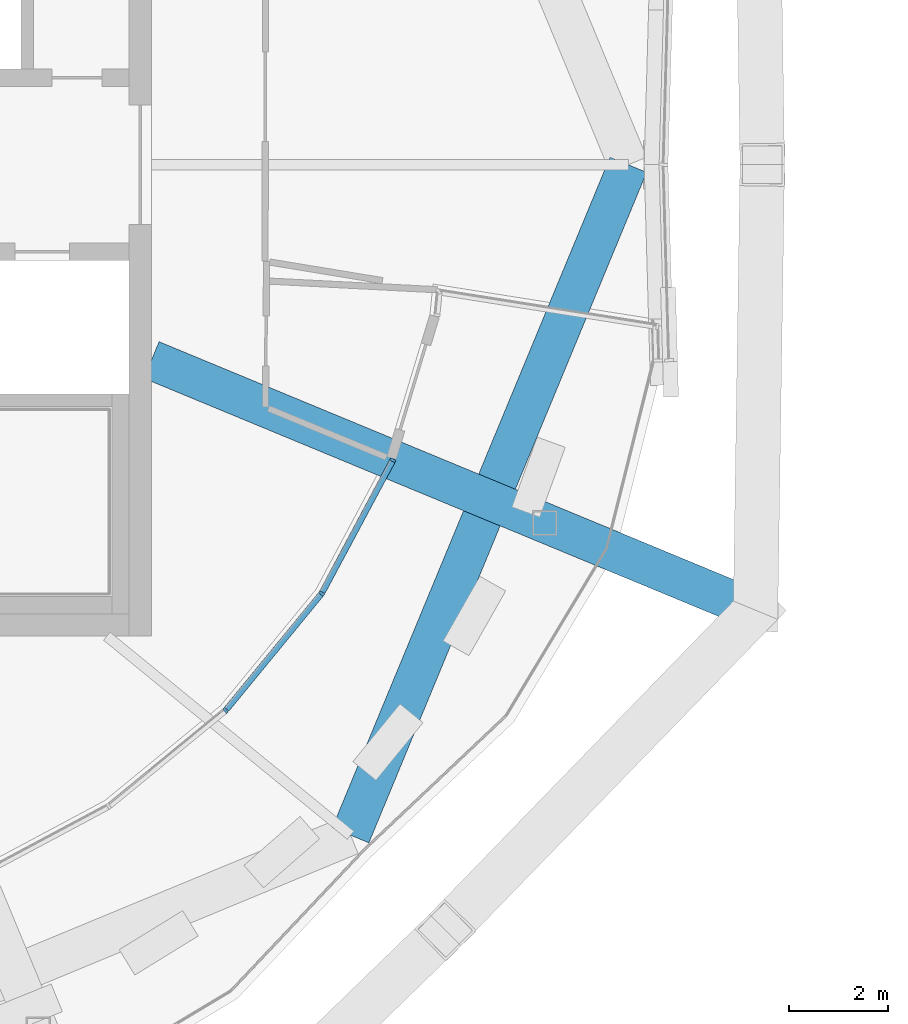
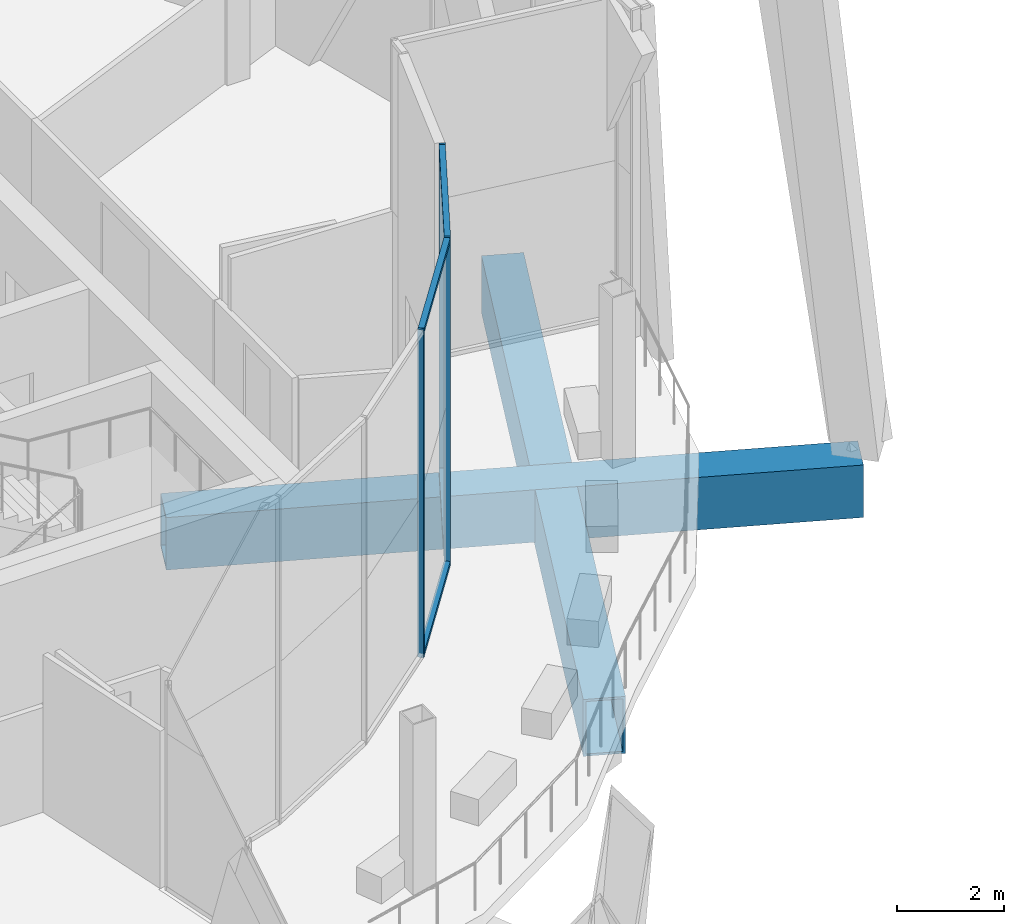
# One storey, part 11 of 53: 7 members, 2 beams, 2 elements without a shape of their own.
"""IFC4 building model written with IfcOpenShell, lengths in metres."""

from ifc_helpers import new_model, si_unit, direction, frame, origin, origin_2d, place, context, subcontext, project, spatial, rectangle, hollow_rectangle, extrude, material, material_profile, profile_set, type_object, element, aggregate, save


model = new_model("IFC4")

# Units and contexts
model_context = context("Model", 3, precision=1e-05, world=origin(), true_north=direction((0.0, 1.0)))
body_context = subcontext(model_context, "Body", "Model", "MODEL_VIEW")
ifc_project = project(units=[si_unit("LENGTHUNIT", "METRE"), si_unit("AREAUNIT", "SQUARE_METRE"), si_unit("VOLUMEUNIT", "CUBIC_METRE"), si_unit("PLANEANGLEUNIT", "RADIAN"), si_unit("MASSUNIT", "GRAM", prefix="KILO")], contexts=[model_context])

# Site, building, storey
site_placement = place(None, origin())
site = spatial("IfcSite", under=ifc_project, at=site_placement, CompositionType="ELEMENT")
building_placement = place(site_placement, origin())
building = spatial("IfcBuilding", under=site, at=building_placement, Name="Ogive Gate Towers", CompositionType="ELEMENT")
storey_placement = place(building_placement, frame((0.0, 0.0, 240.60009765625)))
storey = spatial("IfcBuildingStorey", under=building, at=storey_placement, Name="L57", CompositionType="ELEMENT", Elevation=240.60009765625)

# Beam
ifc_material_1 = material(Name="Steel SM460", Category="steel")
ifc_material_profile_1 = material_profile(ifc_material_1, hollow_rectangle(XDim=0.800048828125, YDim=1.300048828125, WallThickness=0.050048828125, at=origin_2d()), Name="BX 1300x800x50")
ifc_profile_set_1 = profile_set([ifc_material_profile_1], Name="Steel SM460")
beam_type_1 = type_object("IfcBeamType", Name="Edge girder BX 1300x800x50", PredefinedType="BEAM", material=ifc_profile_set_1)
beam_1_placement = place(storey_placement, frame((-22.4873046875, -13.5126953125, -0.9501953125), z_axis=(0.38269921506, 0.923872994947, 0.0), x_axis=(-0.923872994947, 0.38269921506, 0.0)))
element("IfcBeam", 1, at=beam_1_placement, inside=storey, type_object=beam_type_1, Name="T1/L57/SBM019", PredefinedType="BEAM", context=body_context, shape_type="SweptSolid", body=[
    extrude(hollow_rectangle(XDim=0.800048828125, YDim=1.300048828125, WallThickness=0.050048828125, at=origin_2d()), origin(), (0.0, 0.0, 1.0), 14.626220703125),
])

# Curtain wall, member
ifc_material_2 = material(Name="Pale metal aluminium", Category="aluminium")
curtain_wall_type = type_object("IfcCurtainWallType", Name="Sky garden glazing", PredefinedType="NOTDEFINED", material=ifc_material_2)
curtain_wall_1_placement = place(storey_placement, origin())
curtain_wall_1 = element("IfcCurtainWall", 2, at=curtain_wall_1_placement, inside=storey, type_object=curtain_wall_type, Name="CW4 T1 ECW01", PredefinedType="NOTDEFINED")
ifc_material_profile_2 = material_profile(ifc_material_2, rectangle(XDim=0.1201171875, YDim=0.050048828125, at=origin_2d()), Name="50 x 120 aluminium box")
ifc_profile_set_2 = profile_set([ifc_material_profile_2], Name="Pale metal aluminium")
member_type_1 = type_object("IfcMemberType", Name="Sky garden glazing mullion 50 x 120", PredefinedType="MULLION", material=ifc_profile_set_2)
member_1_placement = place(storey_placement, frame((-25.007080078125, -10.99853515625, 0.0), z_axis=(0.0, 0.0, 1.0), x_axis=(-0.634393284164, 0.773010453363, 0.0)))
member_1 = element("IfcMember", 3, at=member_1_placement, type_object=member_type_1, Name="CW4 mullion", PredefinedType="MULLION", context=body_context, shape_type="SweptSolid", body=[
    extrude(rectangle(XDim=0.1201171875, YDim=0.050048828125, at=origin_2d()), origin(), (0.0, 0.0, 1.0), 7.5),
])
aggregate(curtain_wall_1, [member_1])

# Curtain wall, members
curtain_wall_2_placement = place(storey_placement, origin())
curtain_wall_2 = element("IfcCurtainWall", 4, at=curtain_wall_2_placement, inside=storey, type_object=curtain_wall_type, Name="CW4 T1 ECW02b", PredefinedType="NOTDEFINED")
member_2_placement = place(storey_placement, frame((-21.635009765625, -5.95458984375, 0.0), z_axis=(0.0, 0.0, 1.0), x_axis=(-0.881929491639, 0.471381344324, 0.0)))
member_2 = element("IfcMember", 5, at=member_2_placement, type_object=member_type_1, Name="CW4 mullion", PredefinedType="MULLION", context=body_context, shape_type="SweptSolid", body=[
    extrude(rectangle(XDim=0.1201171875, YDim=0.050048828125, at=origin_2d()), origin(), (0.0, 0.0, 1.0), 7.5),
])
member_3_placement = place(storey_placement, frame((-23.0703125, -8.639404296875, 0.0), z_axis=(0.0, 0.0, 1.0), x_axis=(-0.831479308706, 0.555555721053, 0.0)))
member_3 = element("IfcMember", 6, at=member_3_placement, type_object=member_type_1, Name="CW4 mullion", PredefinedType="MULLION", context=body_context, shape_type="SweptSolid", body=[
    extrude(rectangle(XDim=0.1201171875, YDim=0.050048828125, at=origin_2d()), origin(), (0.0, 0.0, 1.0), 7.5),
])
ifc_material_profile_3 = material_profile(ifc_material_2, rectangle(XDim=0.1201171875, YDim=0.10009765625, at=origin_2d()), Name="100 x 120 aluminium box")
ifc_profile_set_3 = profile_set([ifc_material_profile_3], Name="Pale metal aluminium")
member_type_2 = type_object("IfcMemberType", Name="Sky garden glazing transom 100 x 120", PredefinedType="USERDEFINED", material=ifc_profile_set_3)
member_4_placement = place(storey_placement, frame((-21.646728515625, -5.9765625, 7.449951171875), z_axis=(-0.471376176392, -0.881932253821, 0.0), x_axis=(0.881932253821, -0.471376176392, 0.0)))
member_4 = element("IfcMember", 7, at=member_4_placement, type_object=member_type_2, Name="CW4 transom", ObjectType="TRANSOM", PredefinedType="USERDEFINED", context=body_context, shape_type="SweptSolid", body=[
    extrude(rectangle(XDim=0.1201171875, YDim=0.10009765625, at=origin_2d()), origin(), (0.0, 0.0, 1.0), 2.990478515625),
])
member_5_placement = place(storey_placement, frame((-21.646728515625, -5.9765625, 0.0498046875), z_axis=(-0.471376176392, -0.881932253821, 0.0), x_axis=(0.881932253821, -0.471376176392, 0.0)))
member_5 = element("IfcMember", 8, at=member_5_placement, type_object=member_type_2, Name="CW4 transom", ObjectType="TRANSOM", PredefinedType="USERDEFINED", context=body_context, shape_type="SweptSolid", body=[
    extrude(rectangle(XDim=0.1201171875, YDim=0.10009765625, at=origin_2d()), origin(), (0.0, 0.0, 1.0), 2.990478515625),
])
member_6_placement = place(storey_placement, frame((-23.08837890625, -8.661865234375, 7.449951171875), z_axis=(-0.634392919751, -0.773010752428, 0.0), x_axis=(0.773010752428, -0.634392919751, 0.0)))
member_6 = element("IfcMember", 9, at=member_6_placement, type_object=member_type_2, Name="CW4 transom", ObjectType="TRANSOM", PredefinedType="USERDEFINED", context=body_context, shape_type="SweptSolid", body=[
    extrude(rectangle(XDim=0.1201171875, YDim=0.10009765625, at=origin_2d()), origin(), (0.0, 0.0, 1.0), 2.99072265625),
])
member_7_placement = place(storey_placement, frame((-23.08837890625, -8.661865234375, 0.0498046875), z_axis=(-0.634392919751, -0.773010752428, 0.0), x_axis=(0.773010752428, -0.634392919751, 0.0)))
member_7 = element("IfcMember", 10, at=member_7_placement, type_object=member_type_2, Name="CW4 transom", ObjectType="TRANSOM", PredefinedType="USERDEFINED", context=body_context, shape_type="SweptSolid", body=[
    extrude(rectangle(XDim=0.1201171875, YDim=0.10009765625, at=origin_2d()), origin(), (0.0, 0.0, 1.0), 2.99072265625),
])
aggregate(curtain_wall_2, [member_2, member_3, member_4, member_5, member_6, member_7])

# Beam
ifc_material_profile_4 = material_profile(ifc_material_1, hollow_rectangle(XDim=0.800048828125, YDim=1.199951171875, WallThickness=0.050048828125, at=origin_2d()), Name="BX 1200x800x50")
ifc_profile_set_4 = profile_set([ifc_material_profile_4], Name="Steel SM460")
beam_type_2 = type_object("IfcBeamType", Name="Transfer radial beam BX 1200x800x50", PredefinedType="BEAM", material=ifc_profile_set_4)
beam_2_placement = place(storey_placement, frame((-26.5, -3.93505859375, -0.900146484375), z_axis=(0.923880669006, -0.382680688612, 0.0), x_axis=(0.382680688612, 0.923880669006, 0.0)))
element("IfcBeam", 11, at=beam_2_placement, inside=storey, type_object=beam_type_2, Name="T1/L57/SBM006", PredefinedType="BEAM", context=body_context, shape_type="SweptSolid", body=[
    extrude(hollow_rectangle(XDim=0.800048828125, YDim=1.199951171875, WallThickness=0.050048828125, at=origin_2d()), origin(), (0.0, 0.0, 1.0), 13.177490234375),
])

save(model, "model.ifc")
